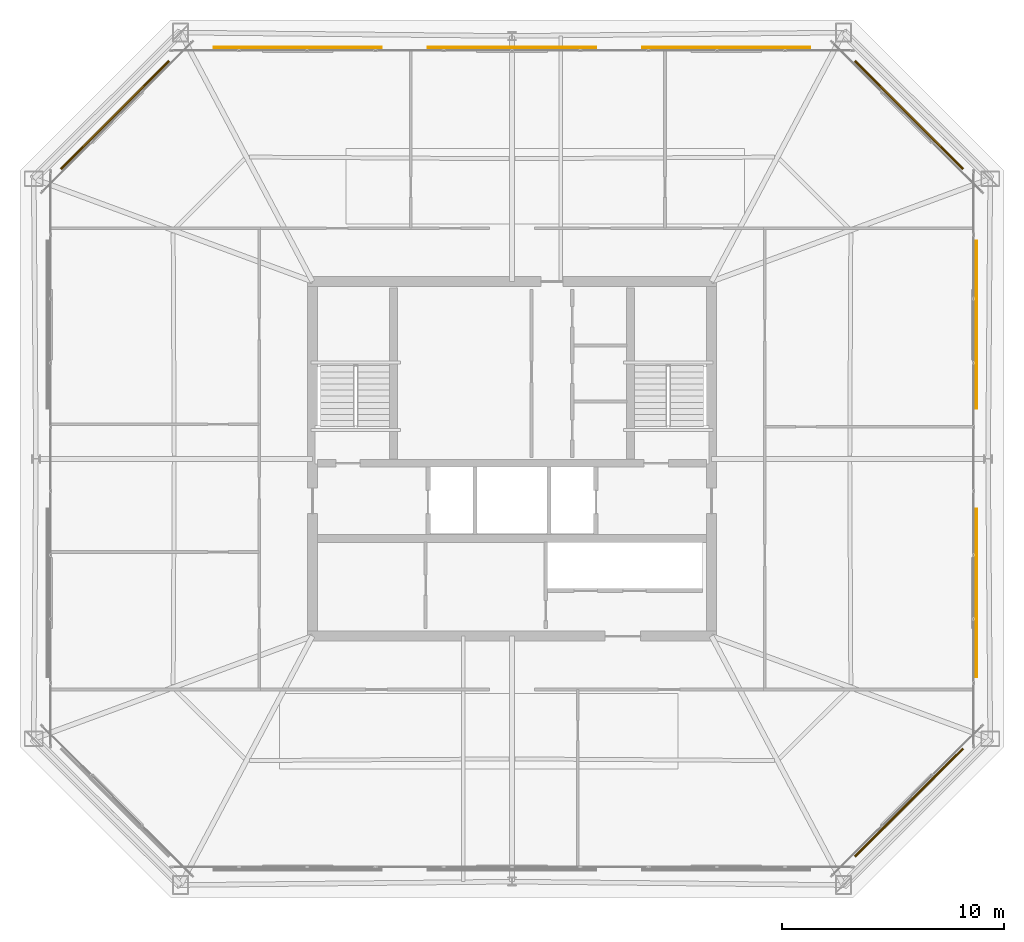
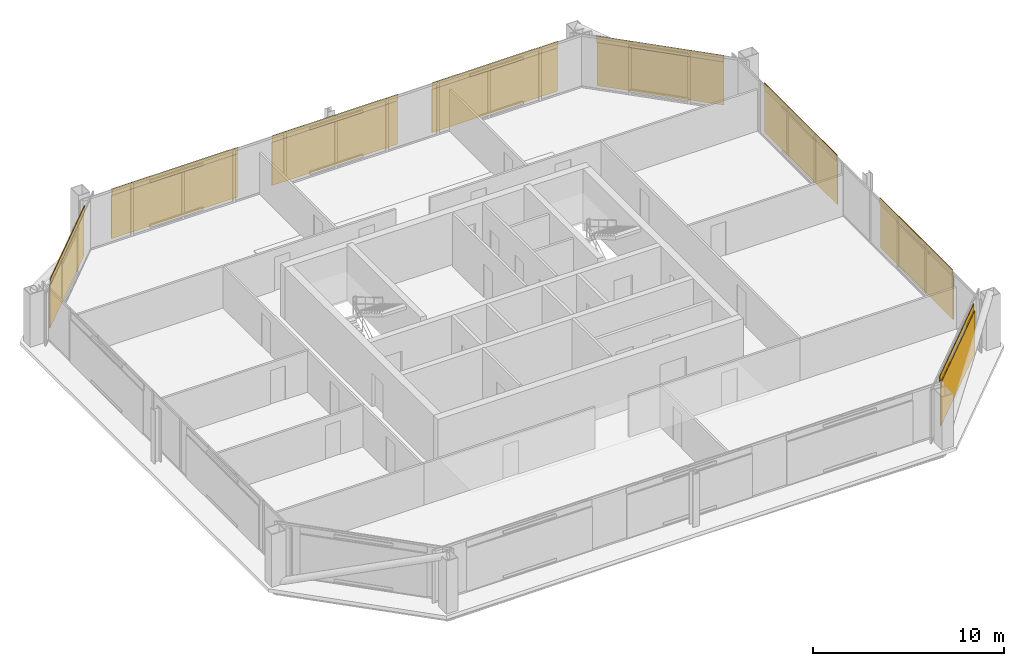
# One storey, part 39 of 39: 8 coverings, 8 shading devices.
"""IFC4 building model written with IfcOpenShell, lengths in metres."""

from ifc_helpers import new_model, si_unit, direction, frame, origin, origin_2d, place, context, subcontext, project, spatial, rectangle, extrude, material, layer, layer_set, type_object, element, save


model = new_model("IFC4")

# Units and contexts
model_context = context("Model", 3, precision=1e-05, world=origin(), true_north=direction((0.0, 1.0)))
body_context = subcontext(model_context, "Body", "Model", "MODEL_VIEW")
ifc_project = project(units=[si_unit("LENGTHUNIT", "METRE"), si_unit("AREAUNIT", "SQUARE_METRE"), si_unit("VOLUMEUNIT", "CUBIC_METRE"), si_unit("PLANEANGLEUNIT", "RADIAN"), si_unit("MASSUNIT", "GRAM", prefix="KILO")], contexts=[model_context])

# Site, building, storey
site_placement = place(None, origin())
site = spatial("IfcSite", under=ifc_project, at=site_placement, CompositionType="ELEMENT")
building_placement = place(site_placement, origin())
building = spatial("IfcBuilding", under=site, at=building_placement, Name="Caelvoria Tower", CompositionType="ELEMENT")
storey_placement = place(building_placement, frame((0.0, 0.0, 198.60009765625)))
storey = spatial("IfcBuildingStorey", under=building, at=storey_placement, Name="L52", CompositionType="ELEMENT", Elevation=198.60009765625)

# Coverings
ifc_material_1 = material(Name="Perforated Architectural Bronze Cladding Screen", Category="bronze")
ifc_layer_1 = layer(ifc_material_1, 0.0400390625, Name="Perforated Architectural Bronze Cladding Screen")
ifc_layer_set_1 = layer_set([ifc_layer_1], Name="Perforated Bronze Louvre Cladding Band 40 - Perforated Architectural Bronze Cladding Screen")
covering_type = type_object("IfcCoveringType", Name="Perforated Bronze Louvre Cladding Band 40", PredefinedType="CLADDING", material=ifc_layer_set_1)
covering_1_placement = place(storey_placement, frame((63.896240234375, 16.503662109375, 2.954833984375), z_axis=(0.0, 0.0, 1.0), x_axis=(0.707106781187, 0.707106781187, 0.0)))
element("IfcCovering", 1, at=covering_1_placement, inside=storey, type_object=covering_type, Name="Perforated Bronze Screen Band L52-E1-00", PredefinedType="CLADDING", context=body_context, shape_type="SweptSolid", body=[
    extrude(rectangle(XDim=6.878662109375, YDim=0.0400390625, at=origin_2d()), origin(), (0.0, 0.0, 1.0), 0.39990234375),
])
for number, where, z_axis, x_axis, name in (
    (2, (66.922119140625, 25.949951171875, 2.954833984375), (0.0, 0.0, 1.0), (0.0, 1.0, 0.0), "Perforated Bronze Screen Band L52-E2-00"),
    (3, (66.922119140625, 38.050048828125, 2.954833984375), (0.0, 0.0, 1.0), (0.0, 1.0, 0.0), "Perforated Bronze Screen Band L52-E2-01"),
):
    element("IfcCovering", number, at=place(storey_placement, frame(where, z_axis=z_axis, x_axis=x_axis)), inside=storey, type_object=covering_type, Name=name, PredefinedType="CLADDING", context=body_context, shape_type="SweptSolid", body=[
        extrude(rectangle(XDim=7.60009765625, YDim=0.0400390625, at=origin_2d()), origin(), (0.0, 0.0, 1.0), 0.39990234375),
    ])
covering_2_placement = place(storey_placement, frame((63.896240234375, 47.496337890625, 2.954833984375), z_axis=(0.0, 0.0, 1.0), x_axis=(-0.707106781187, 0.707106781187, 0.0)))
element("IfcCovering", 4, at=covering_2_placement, inside=storey, type_object=covering_type, Name="Perforated Bronze Screen Band L52-E3-00", PredefinedType="CLADDING", context=body_context, shape_type="SweptSolid", body=[
    extrude(rectangle(XDim=6.878662109375, YDim=0.0400390625, at=origin_2d()), origin(), (0.0, 0.0, 1.0), 0.39990234375),
])
for number, where, z_axis, x_axis, name in (
    (5, (55.666748046875, 50.52197265625, 2.954833984375), (0.0, 0.0, 1.0), (-1.0, 0.0, 0.0), "Perforated Bronze Screen Band L52-E4-00"),
    (6, (46.0, 50.52197265625, 2.954833984375), (0.0, 0.0, 1.0), (-1.0, 0.0, 0.0), "Perforated Bronze Screen Band L52-E4-01"),
    (7, (36.333251953125, 50.52197265625, 2.954833984375), (0.0, 0.0, 1.0), (-1.0, 0.0, 0.0), "Perforated Bronze Screen Band L52-E4-02"),
):
    element("IfcCovering", number, at=place(storey_placement, frame(where, z_axis=z_axis, x_axis=x_axis)), inside=storey, type_object=covering_type, Name=name, PredefinedType="CLADDING", context=body_context, shape_type="SweptSolid", body=[
        extrude(rectangle(XDim=7.60009765625, YDim=0.0400390625, at=origin_2d()), origin(), (0.0, 0.0, 1.0), 0.39990234375),
    ])
covering_3_placement = place(storey_placement, frame((28.103759765625, 47.496337890625, 2.954833984375), z_axis=(0.0, 0.0, 1.0), x_axis=(-0.707106781187, -0.707106781187, 0.0)))
element("IfcCovering", 8, at=covering_3_placement, inside=storey, type_object=covering_type, Name="Perforated Bronze Screen Band L52-E5-00", PredefinedType="CLADDING", context=body_context, shape_type="SweptSolid", body=[
    extrude(rectangle(XDim=6.878662109375, YDim=0.0400390625, at=origin_2d()), origin(), (0.0, 0.0, 1.0), 0.39990234375),
])

# Shading devices
ifc_material_2 = material(Name="Perforated Architectural Bronze Alloy Panel", Category="bronze")
ifc_layer_2 = layer(ifc_material_2, 0.044921875, Name="Perforated Architectural Bronze Alloy Panel")
ifc_layer_set_2 = layer_set([ifc_layer_2], Name="Perforated Bronze Solar Screen Panel SCREEN - Perforated Architectural Bronze Alloy Panel")
shading_device_type = type_object("IfcShadingDeviceType", Name="Perforated Bronze Solar Screen Panel SCREEN", PredefinedType="USERDEFINED", material=ifc_layer_set_2)
shading_device_1_placement = place(storey_placement, frame((63.9267578125, 16.473388671875, 0.159912109375), z_axis=(0.0, 0.0, 1.0), x_axis=(0.707106781187, 0.707106781187, 0.0)))
element("IfcShadingDevice", 9, at=shading_device_1_placement, inside=storey, type_object=shading_device_type, Name="Perforated Bronze Solar Screen L52-E1-00", ObjectType="SCREEN", PredefinedType="USERDEFINED", context=body_context, shape_type="SweptSolid", body=[
    extrude(rectangle(XDim=6.878662109375, YDim=0.044921875, at=origin_2d()), origin(), (0.0, 0.0, 1.0), 2.75),
])
for number, where, z_axis, x_axis, name in (
    (10, (66.965087890625, 25.949951171875, 0.159912109375), (0.0, 0.0, 1.0), (0.0, 1.0, 0.0), "Perforated Bronze Solar Screen L52-E2-00"),
    (11, (66.965087890625, 38.050048828125, 0.159912109375), (0.0, 0.0, 1.0), (0.0, 1.0, 0.0), "Perforated Bronze Solar Screen L52-E2-01"),
):
    element("IfcShadingDevice", number, at=place(storey_placement, frame(where, z_axis=z_axis, x_axis=x_axis)), inside=storey, type_object=shading_device_type, Name=name, ObjectType="SCREEN", PredefinedType="USERDEFINED", context=body_context, shape_type="SweptSolid", body=[
        extrude(rectangle(XDim=7.60009765625, YDim=0.044921875, at=origin_2d()), origin(), (0.0, 0.0, 1.0), 2.75),
    ])
shading_device_2_placement = place(storey_placement, frame((63.9267578125, 47.526611328125, 0.159912109375), z_axis=(0.0, 0.0, 1.0), x_axis=(-0.707106781187, 0.707106781187, 0.0)))
element("IfcShadingDevice", 12, at=shading_device_2_placement, inside=storey, type_object=shading_device_type, Name="Perforated Bronze Solar Screen L52-E3-00", ObjectType="SCREEN", PredefinedType="USERDEFINED", context=body_context, shape_type="SweptSolid", body=[
    extrude(rectangle(XDim=6.878662109375, YDim=0.044921875, at=origin_2d()), origin(), (0.0, 0.0, 1.0), 2.75),
])
for number, where, z_axis, x_axis, name in (
    (13, (55.666748046875, 50.56494140625, 0.159912109375), (0.0, 0.0, 1.0), (-1.0, 0.0, 0.0), "Perforated Bronze Solar Screen L52-E4-00"),
    (14, (46.0, 50.56494140625, 0.159912109375), (0.0, 0.0, 1.0), (-1.0, 0.0, 0.0), "Perforated Bronze Solar Screen L52-E4-01"),
    (15, (36.333251953125, 50.56494140625, 0.159912109375), (0.0, 0.0, 1.0), (-1.0, 0.0, 0.0), "Perforated Bronze Solar Screen L52-E4-02"),
):
    element("IfcShadingDevice", number, at=place(storey_placement, frame(where, z_axis=z_axis, x_axis=x_axis)), inside=storey, type_object=shading_device_type, Name=name, ObjectType="SCREEN", PredefinedType="USERDEFINED", context=body_context, shape_type="SweptSolid", body=[
        extrude(rectangle(XDim=7.60009765625, YDim=0.044921875, at=origin_2d()), origin(), (0.0, 0.0, 1.0), 2.75),
    ])
shading_device_3_placement = place(storey_placement, frame((28.0732421875, 47.526611328125, 0.159912109375), z_axis=(0.0, 0.0, 1.0), x_axis=(-0.707106781187, -0.707106781187, 0.0)))
element("IfcShadingDevice", 16, at=shading_device_3_placement, inside=storey, type_object=shading_device_type, Name="Perforated Bronze Solar Screen L52-E5-00", ObjectType="SCREEN", PredefinedType="USERDEFINED", context=body_context, shape_type="SweptSolid", body=[
    extrude(rectangle(XDim=6.878662109375, YDim=0.044921875, at=origin_2d()), origin(), (0.0, 0.0, 1.0), 2.75),
])

save(model, "model.ifc")
